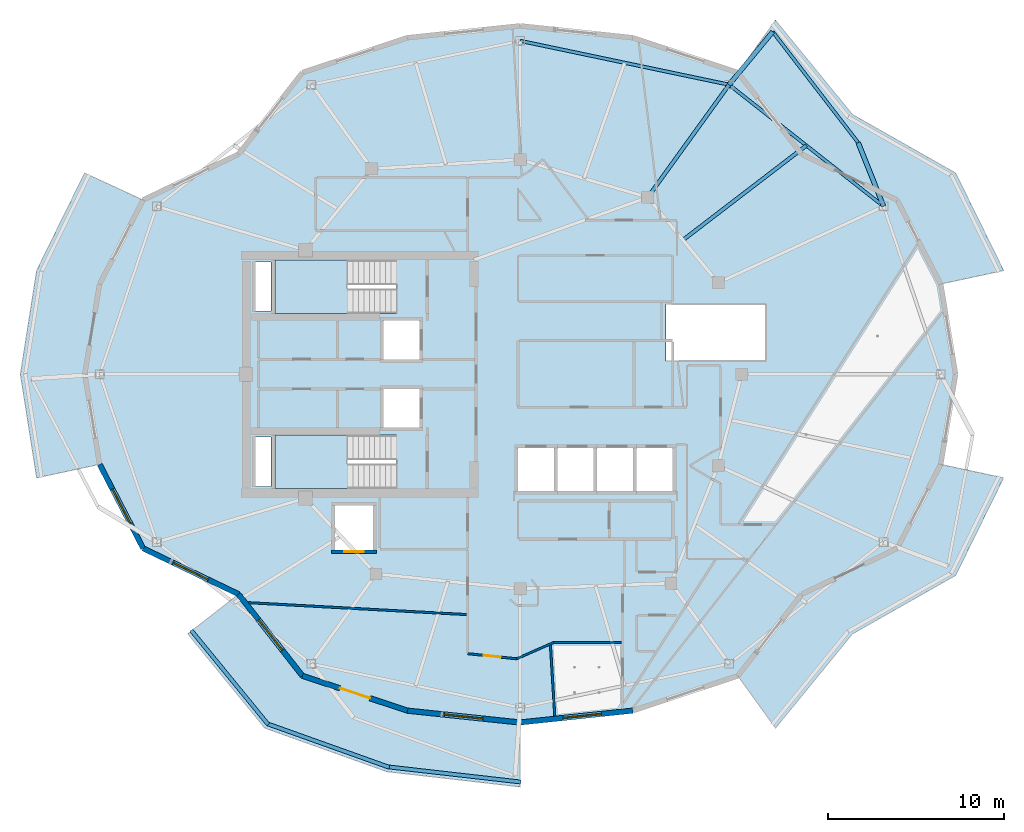
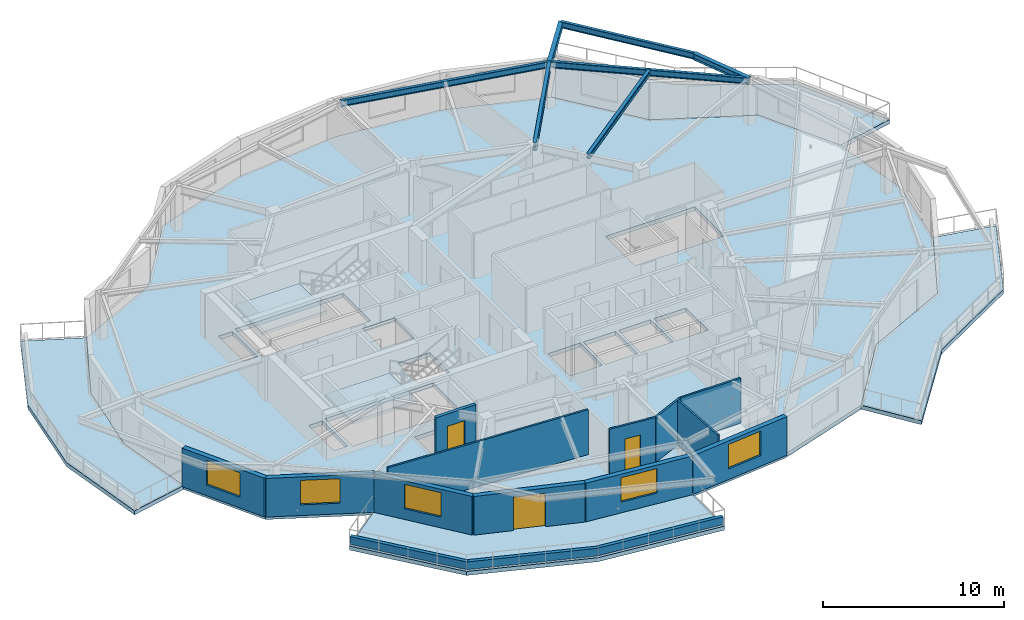
# One storey, part 2 of 14: 15 walls, 7 beams, 7 slabs, 5 windows, 3 doors, 8 openings, 2 elements without a shape of their own.
"""IFC4 building model written with IfcOpenShell, lengths in metres."""

from ifc_helpers import new_model, si_unit, direction, frame, frame_2d, origin, origin_2d, place, context, subcontext, project, spatial, polyline, rectangle, i_section, outline, extrude, material, layer, layer_set, material_profile, profile_set, type_object, element, fill, aggregate, save


model = new_model("IFC4")

# Units and contexts
model_context = context("Model", 3, precision=1e-05, world=origin(), true_north=direction((0.0, 1.0)))
body_context = subcontext(model_context, "Body", "Model", "MODEL_VIEW")
ifc_project = project(units=[si_unit("LENGTHUNIT", "METRE"), si_unit("AREAUNIT", "SQUARE_METRE"), si_unit("VOLUMEUNIT", "CUBIC_METRE"), si_unit("PLANEANGLEUNIT", "RADIAN"), si_unit("MASSUNIT", "GRAM", prefix="KILO")], contexts=[model_context])

# Site, building, storey
site_placement = place(None, origin())
site = spatial("IfcSite", under=ifc_project, at=site_placement, CompositionType="ELEMENT")
building_placement = place(site_placement, origin())
building = spatial("IfcBuilding", under=site, at=building_placement, Name="Kolvaren Gate Tower and Convention Centre", CompositionType="ELEMENT")
storey_placement = place(building_placement, frame((0.0, 0.0, 209.60009765625)))
storey = spatial("IfcBuildingStorey", under=building, at=storey_placement, Name="L55", CompositionType="ELEMENT", Elevation=209.60009765625)

# Beams
ifc_material_1 = material(Name="Structural steel ASTM A992 Grade 345 MPa", Category="steel")
ifc_material_profile_1 = material_profile(ifc_material_1, i_section(OverallWidth=0.260009765625, OverallDepth=0.419921875, WebThickness=0.013427734375, FlangeThickness=0.0224609375, at=origin_2d()), Name="W410X132")
ifc_profile_set_1 = profile_set([ifc_material_profile_1], Name="Structural steel ASTM A992 Grade 345 MPa")
beam_type_1 = type_object("IfcBeamType", Name="STR-BM-W410X132", PredefinedType="BEAM", material=ifc_profile_set_1)
for number, where, z_axis, x_axis, name in (
    (1, (50.787353515625, 36.543701171875, 2.8203125), (-0.370926499602, 0.92866222702, 0.0), (-0.92866222702, -0.370926499602, 0.0), "Tower L56 Planted Balcony Outrigger Cantilever BC-1A"),
    (2, (42.002685546875, 43.4580078125, 2.8203125), (0.636086782115, 0.771617525474, 0.0), (-0.771617525474, 0.636086782115, 0.0), "Tower L56 Planted Balcony Outrigger Cantilever BC-1B"),
):
    element("IfcBeam", number, at=place(storey_placement, frame(where, z_axis=z_axis, x_axis=x_axis)), inside=storey, type_object=beam_type_1, Name=name, PredefinedType="BEAM", context=body_context, shape_type="SweptSolid", body=[
        extrude(i_section(OverallWidth=0.260009765625, OverallDepth=0.419921875, WebThickness=0.013427734375, FlangeThickness=0.0224609375, at=origin_2d()), origin(), (0.0, 0.0, 1.0), 3.89990234375),
    ])
ifc_material_profile_2 = material_profile(ifc_material_1, i_section(OverallWidth=0.2119140625, OverallDepth=0.5439453125, WebThickness=0.01318359375, FlangeThickness=0.021240234375, at=origin_2d()), Name="W530X123")
ifc_profile_set_2 = profile_set([ifc_material_profile_2], Name="Structural steel ASTM A992 Grade 345 MPa")
beam_type_2 = type_object("IfcBeamType", Name="STR-BM-W530X123", PredefinedType="BEAM", material=ifc_profile_set_2)
beam_1_placement = place(storey_placement, frame((37.381591796875, 37.054931640625, 2.7578125), z_axis=(0.585211694794, 0.810880553643, 0.0), x_axis=(-0.810880553643, 0.585211694794, 0.0)))
element("IfcBeam", 3, at=beam_1_placement, inside=storey, type_object=beam_type_2, Name="Tower L55 Radial Floor Girder RB-03", PredefinedType="BEAM", context=body_context, shape_type="SweptSolid", body=[
    extrude(i_section(OverallWidth=0.2119140625, OverallDepth=0.5439453125, WebThickness=0.01318359375, FlangeThickness=0.021240234375, at=origin_2d()), origin(), (0.0, 0.0, 1.0), 7.896484375),
])
ifc_material_profile_3 = material_profile(ifc_material_1, i_section(OverallWidth=0.205078125, OverallDepth=0.31005859375, WebThickness=0.009521484375, FlangeThickness=0.016357421875, at=origin_2d()), Name="W310X74")
ifc_profile_set_3 = profile_set([ifc_material_profile_3], Name="Structural steel ASTM A992 Grade 345 MPa")
beam_type_3 = type_object("IfcBeamType", Name="STR-JS-W310X74", PredefinedType="JOIST", material=ifc_profile_set_3)
beam_2_placement = place(storey_placement, frame((39.3818359375, 34.627197265625, 2.875), z_axis=(0.793783340844, 0.608200631205, 0.0), x_axis=(-0.608200631205, 0.793783340844, 0.0)))
element("IfcBeam", 4, at=beam_2_placement, inside=storey, type_object=beam_type_3, Name="Tower L55 Secondary Composite Floor Joist J-02.1", PredefinedType="JOIST", context=body_context, shape_type="SweptSolid", body=[
    extrude(i_section(OverallWidth=0.205078125, OverallDepth=0.31005859375, WebThickness=0.009521484375, FlangeThickness=0.016357421875, at=origin_2d()), origin(), (0.0, 0.0, 1.0), 8.835205078125),
])
ifc_material_profile_4 = material_profile(ifc_material_1, i_section(OverallWidth=0.180908203125, OverallDepth=0.4169921875, WebThickness=0.010986328125, FlangeThickness=0.018310546875, at=origin_2d()), Name="W410X85")
ifc_profile_set_4 = profile_set([ifc_material_profile_4], Name="Structural steel ASTM A992 Grade 345 MPa")
beam_type_4 = type_object("IfcBeamType", Name="STR-SP-W410X85", PredefinedType="SPANDREL", material=ifc_profile_set_4)
beam_3_placement = place(storey_placement, frame((50.787353515625, 36.543701171875, 2.8212890625), z_axis=(-0.78579365551, 0.618488747643, 0.0), x_axis=(-0.618488747643, -0.78579365551, 0.0)))
element("IfcBeam", 5, at=beam_3_placement, inside=storey, type_object=beam_type_4, Name="Tower L55 Perimeter Spandrel Beam SP-02", PredefinedType="SPANDREL", context=body_context, shape_type="SweptSolid", body=[
    extrude(i_section(OverallWidth=0.180908203125, OverallDepth=0.4169921875, WebThickness=0.010986328125, FlangeThickness=0.018310546875, at=origin_2d()), origin(), (0.0, 0.0, 1.0), 11.179443359375),
])
beam_4_placement = place(storey_placement, frame((42.002685546875, 43.4580078125, 2.8212890625), z_axis=(-0.978692765917, 0.205330148645, 0.0), x_axis=(-0.205330148645, -0.978692765917, 0.0)))
element("IfcBeam", 6, at=beam_4_placement, inside=storey, type_object=beam_type_4, Name="Tower L55 Perimeter Spandrel Beam SP-03", PredefinedType="SPANDREL", context=body_context, shape_type="SweptSolid", body=[
    extrude(i_section(OverallWidth=0.180908203125, OverallDepth=0.4169921875, WebThickness=0.010986328125, FlangeThickness=0.018310546875, at=origin_2d()), origin(), (0.0, 0.0, 1.0), 12.13623046875),
])
beam_5_placement = place(storey_placement, frame((49.3408203125, 40.165283203125, 2.822021484375), z_axis=(-0.61047858823, 0.792032760252, 0.0), x_axis=(-0.792032760252, -0.61047858823, 0.0)))
element("IfcBeam", 7, at=beam_5_placement, inside=storey, type_object=beam_type_4, Name="Tower L56 Planted Balcony Header Tie Beam BT-1", PredefinedType="SPANDREL", context=body_context, shape_type="SweptSolid", body=[
    extrude(i_section(OverallWidth=0.180908203125, OverallDepth=0.4169921875, WebThickness=0.010986328125, FlangeThickness=0.018310546875, at=origin_2d()), origin(), (0.0, 0.0, 1.0), 7.956787109375),
])

# Slabs
ifc_material_2 = material(Name="Concrete C50/60", Category="concrete")
ifc_layer_1 = layer(ifc_material_2, 0.27001953125)
ifc_layer_set_1 = layer_set([ifc_layer_1], Name="Concrete C50/60")
slab_type_1 = type_object("IfcSlabType", Name="STR-SL-BALC-270", PredefinedType="FLOOR", material=ifc_layer_set_1)
slab_1_placement = place(storey_placement, frame((0.0, 0.0, -0.27001953125)))
element("IfcSlab", 8, at=slab_1_placement, inside=storey, type_object=slab_type_1, Name="Tower L55 Planted Balcony Terrace Slab 1 (East)", PredefinedType="FLOOR", context=body_context, shape_type="SweptSolid", body=[
    extrude(outline(polyline([(54.03173828125, 32.12451171875), (51.55908203125, 36.89990234375), (46.132568359375, 39.50732421875), (42.5, 44.147216796875), (44.641845703125, 47.114990234375), (49.0166015625, 41.7607421875), (54.8818359375, 38.434814453125), (57.6103515625, 32.8916015625), (54.03173828125, 32.12451171875)])), origin(), (0.0, 0.0, 1.0), 0.27001953125),
])
slab_2_placement = place(storey_placement, frame((0.0, 0.0, -0.27001953125)))
element("IfcSlab", 9, at=slab_2_placement, inside=storey, type_object=slab_type_1, Name="Tower L55 Planted Balcony Terrace Slab 2 (West)", PredefinedType="FLOOR", context=body_context, shape_type="SweptSolid", body=[
    extrude(outline(polyline([(8.69091796875, 36.89990234375), (6.21826171875, 32.12451171875), (5.375, 27.0), (6.21826171875, 21.87548828125), (2.6396484375, 21.1083984375), (1.715087890625, 27.0), (2.6396484375, 32.8916015625), (5.3681640625, 38.434814453125), (8.69091796875, 36.89990234375)])), origin(), (0.0, 0.0, 1.0), 0.27001953125),
])
slab_3_placement = place(storey_placement, frame((0.0, 0.0, -0.27001953125)))
element("IfcSlab", 10, at=slab_3_placement, inside=storey, type_object=slab_type_1, Name="Tower L55 Planted Balcony Terrace Slab 3 (South)", PredefinedType="FLOOR", context=body_context, shape_type="SweptSolid", body=[
    extrude(outline(polyline([(14.117431640625, 14.49267578125), (17.75, 9.852783203125), (23.71923828125, 7.874755859375), (30.125, 7.199951171875), (30.125, 3.5400390625), (22.556884765625, 4.404296875), (15.608154296875, 6.885009765625), (11.2333984375, 12.2392578125), (14.117431640625, 14.49267578125)])), origin(), (0.0, 0.0, 1.0), 0.27001953125),
])
slab_4_placement = place(storey_placement, frame((0.0, 0.0, -0.27001953125)))
element("IfcSlab", 11, at=slab_4_placement, inside=storey, type_object=slab_type_1, Name="Tower L55 Planted Balcony Terrace Slab 4 (East)", PredefinedType="FLOOR", context=body_context, shape_type="SweptSolid", body=[
    extrude(outline(polyline([(42.5, 9.852783203125), (46.132568359375, 14.49267578125), (51.55908203125, 17.10009765625), (54.03173828125, 21.87548828125), (57.6103515625, 21.1083984375), (54.8818359375, 15.565185546875), (49.0166015625, 12.2392578125), (44.641845703125, 6.885009765625), (42.5, 9.852783203125)])), origin(), (0.0, 0.0, 1.0), 0.27001953125),
])
ifc_material_3 = material(Name="Concrete C40/50", Category="concrete")
ifc_layer_2 = layer(ifc_material_3, 0.27001953125)
ifc_layer_set_2 = layer_set([ifc_layer_2], Name="Concrete C40/50")
slab_type_2 = type_object("IfcSlabType", Name="STR-SL-FLR-270", PredefinedType="FLOOR", material=ifc_layer_set_2)
slab_5_placement = place(storey_placement, frame((0.0, 0.0, -0.27001953125)))
element("IfcSlab", 12, at=slab_5_placement, inside=storey, type_object=slab_type_2, Name="Tower L55 Structural Floor Slab", PredefinedType="FLOOR", context=body_context, shape_type="SweptSolid", body=[
    extrude(outline(polyline([(54.875, 27.0), (54.03173828125, 32.12451171875), (51.55908203125, 36.89990234375), (46.132568359375, 39.50732421875), (42.5, 44.147216796875), (36.53076171875, 46.125244140625), (30.125, 46.800048828125), (23.71923828125, 46.125244140625), (17.75, 44.147216796875), (14.117431640625, 39.50732421875), (8.69091796875, 36.89990234375), (6.21826171875, 32.12451171875), (5.375, 27.0), (6.21826171875, 21.87548828125), (8.69091796875, 17.10009765625), (14.117431640625, 14.49267578125), (17.75, 9.852783203125), (23.71923828125, 7.874755859375), (30.125, 7.199951171875), (36.53076171875, 7.874755859375), (42.5, 9.852783203125), (46.132568359375, 14.49267578125), (51.55908203125, 17.10009765625), (54.03173828125, 21.87548828125), (54.875, 27.0)]), holes=[polyline([(38.39990234375, 27.75), (38.39990234375, 31.0), (44.10009765625, 31.0), (44.10009765625, 27.75), (38.39990234375, 27.75)]), polyline([(38.800048828125, 20.35009765625), (36.75, 20.35009765625), (36.75, 22.800048828125), (38.800048828125, 22.800048828125), (38.800048828125, 20.35009765625)]), polyline([(34.5, 20.35009765625), (34.5, 22.800048828125), (36.550048828125, 22.800048828125), (36.550048828125, 20.35009765625), (34.5, 20.35009765625)]), polyline([(32.25, 20.35009765625), (32.25, 22.800048828125), (34.300048828125, 22.800048828125), (34.300048828125, 20.35009765625), (32.25, 20.35009765625)]), polyline([(32.050048828125, 20.35009765625), (30.0, 20.35009765625), (30.0, 22.800048828125), (32.050048828125, 22.800048828125), (32.050048828125, 20.35009765625)]), polyline([(22.35009765625, 23.9599609375), (22.35009765625, 26.159912109375), (24.39990234375, 26.159912109375), (24.39990234375, 23.9599609375), (22.35009765625, 23.9599609375)]), polyline([(24.39990234375, 27.840087890625), (22.35009765625, 27.840087890625), (22.35009765625, 30.0400390625), (24.39990234375, 30.0400390625), (24.39990234375, 27.840087890625)]), polyline([(23.10009765625, 23.5400390625), (23.10009765625, 20.5), (16.199951171875, 20.5), (16.199951171875, 23.5400390625), (23.10009765625, 23.5400390625)]), polyline([(23.10009765625, 33.5), (23.10009765625, 30.4599609375), (16.199951171875, 30.4599609375), (16.199951171875, 33.5), (23.10009765625, 33.5)]), polyline([(21.75, 17.0), (19.60009765625, 17.0), (19.60009765625, 19.550048828125), (21.75, 19.550048828125), (21.75, 17.0)]), polyline([(15.080078125, 20.6298828125), (15.080078125, 23.419921875), (15.969970703125, 23.419921875), (15.969970703125, 20.6298828125), (15.080078125, 20.6298828125)]), polyline([(15.080078125, 30.580078125), (15.080078125, 33.3701171875), (15.969970703125, 33.3701171875), (15.969970703125, 30.580078125), (15.080078125, 30.580078125)])]), origin(), (0.0, 0.0, 1.0), 0.27001953125),
])

# Stair, slab
stair_type = type_object("IfcStairType", Name="STR-STAIR-CORE", PredefinedType="HALF_TURN_STAIR", material=ifc_material_2)
stair_1_placement = place(storey_placement, origin())
stair_1 = element("IfcStair", 13, at=stair_1_placement, inside=storey, type_object=stair_type, Name="L55 Tower North Exit Stair ST-T1", PredefinedType="HALF_TURN_STAIR")
ifc_layer_3 = layer(ifc_material_2, 0.199951171875)
ifc_layer_set_3 = layer_set([ifc_layer_3], Name="Concrete C50/60")
slab_type_3 = type_object("IfcSlabType", Name="STR-SL-LAND-200", PredefinedType="LANDING", material=ifc_layer_set_3)
slab_6_placement = place(storey_placement, frame((0.0, 0.0, 1.449951171875)))
slab_6 = element("IfcSlab", 14, at=slab_6_placement, type_object=slab_type_3, Name="ST-T1 landing 1", PredefinedType="LANDING", context=body_context, shape_type="SweptSolid", body=[
    extrude(outline(polyline([(20.31005859375, 33.5), (16.199951171875, 33.5), (16.199951171875, 30.4599609375), (20.31005859375, 30.4599609375), (20.31005859375, 33.5)])), origin(), (0.0, 0.0, 1.0), 0.199951171875),
])
aggregate(stair_1, [slab_6])

stair_2_placement = place(storey_placement, origin())
stair_2 = element("IfcStair", 15, at=stair_2_placement, inside=storey, type_object=stair_type, Name="L55 Tower South Exit Stair ST-T2", PredefinedType="HALF_TURN_STAIR")
slab_7_placement = place(storey_placement, frame((0.0, 0.0, 1.449951171875)))
slab_7 = element("IfcSlab", 16, at=slab_7_placement, type_object=slab_type_3, Name="ST-T2 landing 1", PredefinedType="LANDING", context=body_context, shape_type="SweptSolid", body=[
    extrude(outline(polyline([(20.31005859375, 23.5400390625), (16.199951171875, 23.5400390625), (16.199951171875, 20.5), (20.31005859375, 20.5), (20.31005859375, 23.5400390625)])), origin(), (0.0, 0.0, 1.0), 0.199951171875),
])
aggregate(stair_2, [slab_7])

# Walls
ifc_material_4 = material(Name="Fire-Rated Acoustic Gypsum Stud Partition", Category="gypsum")
ifc_layer_4 = layer(ifc_material_4, 0.1201171875)
ifc_layer_set_4 = layer_set([ifc_layer_4], Name="Fire-Rated Acoustic Gypsum Stud Partition")
wall_type_1 = type_object("IfcWallType", Name="ARCH-WL-PART-120", PredefinedType="PARTITIONING", material=ifc_layer_set_4)
wall_1_placement = place(storey_placement, frame((32.033935546875, 11.75, 0.0), z_axis=(0.0, 0.0, 1.0), x_axis=(1.0, 0.0, 0.0)))
element("IfcWall", 17, at=wall_1_placement, inside=storey, type_object=wall_type_1, Name="Interior Partition WL-L55-INT-055", PredefinedType="PARTITIONING", context=body_context, shape_type="SweptSolid", body=[
    extrude(rectangle(XDim=3.85400390625, YDim=0.1201171875, at=frame_2d((1.927001953125, 0.0))), origin(), (0.0, 0.0, 1.0), 3.02978515625),
])
wall_2_placement = place(storey_placement, frame((29.925048828125, 10.821044921875, 0.0), z_axis=(0.0, 0.0, 1.0), x_axis=(0.915147800009, 0.403118474072, 0.0)))
element("IfcWall", 18, at=wall_2_placement, inside=storey, type_object=wall_type_1, Name="Interior Partition WL-L55-INT-056", PredefinedType="PARTITIONING", context=body_context, shape_type="SweptSolid", body=[
    extrude(rectangle(XDim=2.304443359375, YDim=0.1201171875, at=frame_2d((1.15234375, 0.0))), origin(), (0.0, 0.0, 1.0), 3.02978515625),
])

# Wall, opening, door
wall_3_placement = place(storey_placement, frame((27.14990234375, 11.113037109375, 0.0), z_axis=(0.0, 0.0, 1.0), x_axis=(0.994510245906, -0.104639241146, 0.0)))
wall_3 = element("IfcWall", 19, at=wall_3_placement, inside=storey, type_object=wall_type_1, Name="Interior Partition WL-L55-INT-057", PredefinedType="PARTITIONING", context=body_context, shape_type="SweptSolid", body=[
    extrude(rectangle(XDim=2.79052734375, YDim=0.1201171875, at=frame_2d((1.395263671875, 0.0))), origin(), (0.0, 0.0, 1.0), 3.02978515625),
])
opening_1_placement = place(wall_3_placement, frame((0.920166015625, 0.0, 0.0)))
opening_1 = element("IfcOpeningElement", 20, at=opening_1_placement, cuts=wall_3, Name="Opening DR-01", PredefinedType="OPENING", context=body_context, shape_type="SweptSolid", body=[
    extrude(rectangle(XDim=0.949951171875, YDim=2.10009765625, at=frame_2d((0.47509765625, 1.050048828125))), frame((0.0, 0.070068359375, 0.0), z_axis=(0.0, -1.0, 0.0), x_axis=(1.0, 0.0, 0.0)), (0.0, 0.0, 1.0), 0.14013671875),
])
ifc_material_5 = material(Name="Painted Architectural Steelwork ASTM A500 Grade C 345 MPa", Category="steel")
door_type_1 = type_object("IfcDoorType", Name="ARCH-DR-RISER-950", OperationType="SINGLE_SWING_RIGHT", PredefinedType="DOOR", material=ifc_material_5)
door_1_placement = place(opening_1_placement, origin())
door_1 = element("IfcDoor", 21, at=door_1_placement, inside=storey, type_object=door_type_1, Name="Resident Private Study Door", OperationType="SINGLE_SWING_LEFT", OverallHeight=2.10009765625, OverallWidth=0.949951171875, PredefinedType="DOOR", context=body_context, shape_type="SweptSolid", body=[
    extrude(rectangle(XDim=0.949951171875, YDim=2.10009765625, at=frame_2d((0.47509765625, 1.050048828125))), frame((0.0, 0.02490234375, 0.0), z_axis=(0.0, -1.0, 0.0), x_axis=(1.0, 0.0, 0.0)), (0.0, 0.0, 1.0), 0.050048828125),
])
fill(opening_1, door_1)

# Walls
wall_4_placement = place(storey_placement, frame((14.686279296875, 14.0126953125, 0.0), z_axis=(0.0, 0.0, 1.0), x_axis=(0.998511871839, -0.054534776034, 0.0)))
element("IfcWall", 22, at=wall_4_placement, inside=storey, type_object=wall_type_1, Name="Interior Partition WL-L55-INT-063", PredefinedType="PARTITIONING", context=body_context, shape_type="SweptSolid", body=[
    extrude(rectangle(XDim=12.4052734375, YDim=0.1201171875, at=frame_2d((6.20263671875, 0.0))), origin(), (0.0, 0.0, 1.0), 3.02978515625),
])
wall_5_placement = place(storey_placement, frame((31.84716796875, 11.599853515625, 0.0), z_axis=(0.0, 0.0, 1.0), x_axis=(0.061108836762, -0.998131108657, 0.0)))
element("IfcWall", 23, at=wall_5_placement, inside=storey, type_object=wall_type_1, Name="Interior Partition WL-L55-INT-065", PredefinedType="PARTITIONING", context=body_context, shape_type="SweptSolid", body=[
    extrude(rectangle(XDim=4.047119140625, YDim=0.1201171875, at=frame_2d((2.0234375, 0.0))), origin(), (0.0, 0.0, 1.0), 3.02978515625),
])
ifc_material_6 = material(Name="Piedmont Cream Honed Limestone Cladding", Category="masonry")
ifc_layer_5 = layer(ifc_material_6, 0.219970703125)
ifc_layer_set_5 = layer_set([ifc_layer_5], Name="Piedmont Cream Honed Limestone Cladding")
wall_type_2 = type_object("IfcWallType", Name="ARCH-WL-PLANTER-220", PredefinedType="PARAPET", material=ifc_layer_set_5)
wall_6_placement = place(storey_placement, frame((11.42724609375, 12.44140625, 0.0), z_axis=(0.0, 0.0, 1.0), x_axis=(0.632697312147, -0.774399193699, 0.0)))
element("IfcWall", 24, at=wall_6_placement, inside=storey, type_object=wall_type_2, Name="Vertical-Forest Balcony Stone Planter Kerb PK-L55-3.1", PredefinedType="PARAPET", context=body_context, shape_type="SweptSolid", body=[
    extrude(rectangle(XDim=6.9140625, YDim=0.219970703125, at=frame_2d((3.45703125, 0.0))), origin(), (0.0, 0.0, 1.0), 0.52001953125),
])
wall_7_placement = place(storey_placement, frame((15.73681640625, 7.133544921875, 0.0), z_axis=(0.0, 0.0, 1.0), x_axis=(0.941780086523, -0.336229488042, 0.0)))
element("IfcWall", 25, at=wall_7_placement, inside=storey, type_object=wall_type_2, Name="Vertical-Forest Balcony Stone Planter Kerb PK-L55-3.2", PredefinedType="PARAPET", context=body_context, shape_type="SweptSolid", body=[
    extrude(rectangle(XDim=7.3779296875, YDim=0.219970703125, at=frame_2d((3.68896484375, 0.0))), origin(), (0.0, 0.0, 1.0), 0.52001953125),
])
wall_8_placement = place(storey_placement, frame((22.602294921875, 4.680419921875, 0.0), z_axis=(0.0, 0.0, 1.0), x_axis=(0.993546198781, -0.113428175021, 0.0)))
element("IfcWall", 26, at=wall_8_placement, inside=storey, type_object=wall_type_2, Name="Vertical-Forest Balcony Stone Planter Kerb PK-L55-3.3", PredefinedType="PARAPET", context=body_context, shape_type="SweptSolid", body=[
    extrude(rectangle(XDim=7.6171875, YDim=0.219970703125, at=frame_2d((3.80859375, 0.0))), origin(), (0.0, 0.0, 1.0), 0.52001953125),
])

# Wall, opening, door
ifc_material_7 = material(Name="Autoclaved Aerated Masonry Blockwork Class 4 (4.0 MPa)", Category="masonry")
ifc_layer_6 = layer(ifc_material_7, 0.199951171875)
ifc_layer_set_6 = layer_set([ifc_layer_6], Name="Autoclaved Aerated Masonry Blockwork Class 4 (4.0 MPa)")
wall_type_3 = type_object("IfcWallType", Name="ARCH-WL-SHAFT-200", PredefinedType="SOLIDWALL", material=ifc_layer_set_6)
wall_9_placement = place(storey_placement, frame((19.39990234375, 16.89990234375, 0.0), z_axis=(0.0, 0.0, 1.0), x_axis=(1.0, 0.0, 0.0)))
wall_9 = element("IfcWall", 27, at=wall_9_placement, inside=storey, type_object=wall_type_3, Name="Elevator SV-01 L55 Fire Shaft Wall S", PredefinedType="SOLIDWALL", context=body_context, shape_type="SweptSolid", body=[
    extrude(rectangle(XDim=2.550048828125, YDim=0.199951171875, at=frame_2d((1.27490234375, 0.0))), origin(), (0.0, 0.0, 1.0), 3.02978515625),
])
opening_2_placement = place(wall_9_placement, frame((0.72509765625, 0.0, 0.0)))
opening_2 = element("IfcOpeningElement", 28, at=opening_2_placement, cuts=wall_9, Name="Opening LD", PredefinedType="OPENING", context=body_context, shape_type="SweptSolid", body=[
    extrude(rectangle(XDim=1.10009765625, YDim=2.199951171875, at=frame_2d((0.550048828125, 1.10009765625))), frame((0.0, 0.10986328125, 0.0), z_axis=(0.0, -1.0, 0.0), x_axis=(1.0, 0.0, 0.0)), (0.0, 0.0, 1.0), 0.219970703125),
])
ifc_material_8 = material(Name="Brushed Stainless Steel Grade 316L", Category="steel")
door_type_2 = type_object("IfcDoorType", Name="ARCH-DR-LIFT-1100", OperationType="SLIDING_TO_LEFT", PredefinedType="DOOR", material=ifc_material_8)
door_2_placement = place(opening_2_placement, origin())
door_2 = element("IfcDoor", 29, at=door_2_placement, inside=storey, type_object=door_type_2, Name="Elevator SV-01 L55 Sliding Landing Door", OperationType="SLIDING_TO_LEFT", OverallHeight=2.199951171875, OverallWidth=1.10009765625, PredefinedType="DOOR", context=body_context, shape_type="SweptSolid", body=[
    extrude(rectangle(XDim=1.10009765625, YDim=2.199951171875, at=frame_2d((0.550048828125, 1.10009765625))), frame((0.0, 0.02490234375, 0.0), z_axis=(0.0, -1.0, 0.0), x_axis=(1.0, 0.0, 0.0)), (0.0, 0.0, 1.0), 0.050048828125),
])
fill(opening_2, door_2)

# Wall, opening, window
ifc_layer_7 = layer(ifc_material_6, 0.300048828125)
ifc_layer_set_7 = layer_set([ifc_layer_7], Name="Piedmont Cream Honed Limestone Cladding")
wall_type_4 = type_object("IfcWallType", Name="ARCH-WL-STONE-300", PredefinedType="SOLIDWALL", material=ifc_layer_set_7)
wall_10_placement = place(storey_placement, frame((6.21826171875, 21.87548828125, 0.0), z_axis=(0.0, 0.0, 1.0), x_axis=(0.459808219482, -0.888018243786, 0.0)))
wall_10 = element("IfcWall", 30, at=wall_10_placement, inside=storey, type_object=wall_type_4, Name="Tower L55 Honed Stone Spandrel Wall EW-13", PredefinedType="SOLIDWALL", context=body_context, shape_type="SweptSolid", body=[
    extrude(rectangle(XDim=5.377685546875, YDim=0.300048828125, at=frame_2d((2.68896484375, 0.0))), origin(), (0.0, 0.0, 1.0), 2.60498046875),
])
opening_3_placement = place(wall_10_placement, frame((1.589111328125, 0.0, 0.719970703125)))
opening_3 = element("IfcOpeningElement", 31, at=opening_3_placement, cuts=wall_10, Name="Opening W-03", PredefinedType="OPENING", context=body_context, shape_type="SweptSolid", body=[
    extrude(rectangle(XDim=2.199951171875, YDim=1.64990234375, at=frame_2d((1.10009765625, 0.824951171875))), frame((0.0, 0.159912109375, 0.0), z_axis=(0.0, -1.0, 0.0), x_axis=(1.0, 0.0, 0.0)), (0.0, 0.0, 1.0), 0.320068359375),
])
ifc_material_9 = material(Name="Low-E Triple Insulated Glazing Unit 44 mm", Category="glass")
window_type = type_object("IfcWindowType", Name="ARCH-WN-RES-2200", PartitioningType="SINGLE_PANEL", PredefinedType="WINDOW", material=ifc_material_9)
window_1_placement = place(opening_3_placement, origin())
window_1 = element("IfcWindow", 32, at=window_1_placement, inside=storey, type_object=window_type, Name="Tower L55 Punched Stone Facade Window W-13", OverallHeight=1.64990234375, OverallWidth=2.199951171875, PartitioningType="SINGLE_PANEL", PredefinedType="WINDOW", context=body_context, shape_type="SweptSolid", body=[
    extrude(rectangle(XDim=2.199951171875, YDim=1.64990234375, at=frame_2d((1.10009765625, 0.824951171875))), frame((0.0, 0.030029296875, 0.0), z_axis=(0.0, -1.0, 0.0), x_axis=(1.0, 0.0, 0.0)), (0.0, 0.0, 1.0), 0.06005859375),
])
fill(opening_3, window_1)

wall_11_placement = place(storey_placement, frame((8.69091796875, 17.10009765625, 0.0), z_axis=(0.0, 0.0, 1.0), x_axis=(0.901348331142, -0.433094892545, 0.0)))
wall_11 = element("IfcWall", 33, at=wall_11_placement, inside=storey, type_object=wall_type_4, Name="Tower L55 Honed Stone Spandrel Wall EW-14", PredefinedType="SOLIDWALL", context=body_context, shape_type="SweptSolid", body=[
    extrude(rectangle(XDim=6.0205078125, YDim=0.300048828125, at=frame_2d((3.01025390625, 0.0))), origin(), (0.0, 0.0, 1.0), 2.60498046875),
])
opening_4_placement = place(wall_11_placement, frame((1.909912109375, 0.0, 0.719970703125)))
opening_4 = element("IfcOpeningElement", 34, at=opening_4_placement, cuts=wall_11, Name="Opening W-03", PredefinedType="OPENING", context=body_context, shape_type="SweptSolid", body=[
    extrude(rectangle(XDim=2.199951171875, YDim=1.64990234375, at=frame_2d((1.10009765625, 0.824951171875))), frame((0.0, 0.159912109375, 0.0), z_axis=(0.0, -1.0, 0.0), x_axis=(1.0, 0.0, 0.0)), (0.0, 0.0, 1.0), 0.320068359375),
])
window_2_placement = place(opening_4_placement, origin())
window_2 = element("IfcWindow", 35, at=window_2_placement, inside=storey, type_object=window_type, Name="Tower L55 Punched Stone Facade Window W-14", OverallHeight=1.64990234375, OverallWidth=2.199951171875, PartitioningType="SINGLE_PANEL", PredefinedType="WINDOW", context=body_context, shape_type="SweptSolid", body=[
    extrude(rectangle(XDim=2.199951171875, YDim=1.64990234375, at=frame_2d((1.10009765625, 0.824951171875))), frame((0.0, 0.030029296875, 0.0), z_axis=(0.0, -1.0, 0.0), x_axis=(1.0, 0.0, 0.0)), (0.0, 0.0, 1.0), 0.06005859375),
])
fill(opening_4, window_2)

wall_12_placement = place(storey_placement, frame((14.117431640625, 14.49267578125, 0.0), z_axis=(0.0, 0.0, 1.0), x_axis=(0.616450126935, -0.787393955401, 0.0)))
wall_12 = element("IfcWall", 36, at=wall_12_placement, inside=storey, type_object=wall_type_4, Name="Tower L55 Honed Stone Spandrel Wall EW-15", PredefinedType="SOLIDWALL", context=body_context, shape_type="SweptSolid", body=[
    extrude(rectangle(XDim=5.892822265625, YDim=0.300048828125, at=frame_2d((2.9462890625, 0.0))), origin(), (0.0, 0.0, 1.0), 2.60498046875),
])
opening_5_placement = place(wall_12_placement, frame((1.845947265625, 0.0, 0.719970703125)))
opening_5 = element("IfcOpeningElement", 37, at=opening_5_placement, cuts=wall_12, Name="Opening W-03", PredefinedType="OPENING", context=body_context, shape_type="SweptSolid", body=[
    extrude(rectangle(XDim=2.199951171875, YDim=1.64990234375, at=frame_2d((1.10009765625, 0.824951171875))), frame((0.0, 0.159912109375, 0.0), z_axis=(0.0, -1.0, 0.0), x_axis=(1.0, 0.0, 0.0)), (0.0, 0.0, 1.0), 0.320068359375),
])
window_3_placement = place(opening_5_placement, origin())
window_3 = element("IfcWindow", 38, at=window_3_placement, inside=storey, type_object=window_type, Name="Tower L55 Punched Stone Facade Window W-15", OverallHeight=1.64990234375, OverallWidth=2.199951171875, PartitioningType="SINGLE_PANEL", PredefinedType="WINDOW", context=body_context, shape_type="SweptSolid", body=[
    extrude(rectangle(XDim=2.199951171875, YDim=1.64990234375, at=frame_2d((1.10009765625, 0.824951171875))), frame((0.0, 0.030029296875, 0.0), z_axis=(0.0, -1.0, 0.0), x_axis=(1.0, 0.0, 0.0)), (0.0, 0.0, 1.0), 0.06005859375),
])
fill(opening_5, window_3)

# Wall, opening, door
wall_13_placement = place(storey_placement, frame((17.75, 9.852783203125, 0.0), z_axis=(0.0, 0.0, 1.0), x_axis=(0.949240877604, -0.314550085495, 0.0)))
wall_13 = element("IfcWall", 39, at=wall_13_placement, inside=storey, type_object=wall_type_4, Name="Tower L55 Honed Stone Spandrel Wall EW-16", PredefinedType="SOLIDWALL", context=body_context, shape_type="SweptSolid", body=[
    extrude(rectangle(XDim=6.288330078125, YDim=0.300048828125, at=frame_2d((3.14404296875, 0.0))), origin(), (0.0, 0.0, 1.0), 2.60498046875),
])
opening_6_placement = place(wall_13_placement, frame((2.243896484375, 0.0, 0.0)))
opening_6 = element("IfcOpeningElement", 40, at=opening_6_placement, cuts=wall_13, Name="Opening DB-01", PredefinedType="OPENING", context=body_context, shape_type="SweptSolid", body=[
    extrude(rectangle(XDim=1.800048828125, YDim=2.25, at=frame_2d((0.89990234375, 1.125))), frame((0.0, 0.159912109375, 0.0), z_axis=(0.0, -1.0, 0.0), x_axis=(1.0, 0.0, 0.0)), (0.0, 0.0, 1.0), 0.320068359375),
])
ifc_material_10 = material(Name="Anodized Architectural Aluminium Alloy 6063-T6", Category="aluminium")
door_type_3 = type_object("IfcDoorType", Name="ARCH-DR-BALC-1800", OperationType="SLIDING_TO_LEFT", PredefinedType="DOOR", material=ifc_material_10)
door_3_placement = place(opening_6_placement, frame((1.800048828125, 0.0, 0.0), z_axis=(0.0, 0.0, 1.0), x_axis=(-1.0, 0.0, 0.0)))
door_3 = element("IfcDoor", 41, at=door_3_placement, inside=storey, type_object=door_type_3, Name="Planted Sky Terrace Access Door DB-L55-16", OperationType="SLIDING_TO_LEFT", OverallHeight=2.25, OverallWidth=1.800048828125, PredefinedType="DOOR", context=body_context, shape_type="SweptSolid", body=[
    extrude(rectangle(XDim=1.800048828125, YDim=2.25, at=frame_2d((0.89990234375, 1.125))), frame((0.0, 0.02490234375, 0.0), z_axis=(0.0, -1.0, 0.0), x_axis=(1.0, 0.0, 0.0)), (0.0, 0.0, 1.0), 0.050048828125),
])
fill(opening_6, door_3)

# Wall, opening, window
wall_14_placement = place(storey_placement, frame((23.71923828125, 7.874755859375, 0.0), z_axis=(0.0, 0.0, 1.0), x_axis=(0.994497142298, -0.104763705363, 0.0)))
wall_14 = element("IfcWall", 42, at=wall_14_placement, inside=storey, type_object=wall_type_4, Name="Tower L55 Honed Stone Spandrel Wall EW-17", PredefinedType="SOLIDWALL", context=body_context, shape_type="SweptSolid", body=[
    extrude(rectangle(XDim=6.441162109375, YDim=0.300048828125, at=frame_2d((3.220703125, 0.0))), origin(), (0.0, 0.0, 1.0), 2.60498046875),
])
opening_7_placement = place(wall_14_placement, frame((2.12109375, 0.0, 0.719970703125)))
opening_7 = element("IfcOpeningElement", 43, at=opening_7_placement, cuts=wall_14, Name="Opening W-03", PredefinedType="OPENING", context=body_context, shape_type="SweptSolid", body=[
    extrude(rectangle(XDim=2.199951171875, YDim=1.64990234375, at=frame_2d((1.10009765625, 0.824951171875))), frame((0.0, 0.159912109375, 0.0), z_axis=(0.0, -1.0, 0.0), x_axis=(1.0, 0.0, 0.0)), (0.0, 0.0, 1.0), 0.320068359375),
])
window_4_placement = place(opening_7_placement, origin())
window_4 = element("IfcWindow", 44, at=window_4_placement, inside=storey, type_object=window_type, Name="Tower L55 Punched Stone Facade Window W-17", OverallHeight=1.64990234375, OverallWidth=2.199951171875, PartitioningType="SINGLE_PANEL", PredefinedType="WINDOW", context=body_context, shape_type="SweptSolid", body=[
    extrude(rectangle(XDim=2.199951171875, YDim=1.64990234375, at=frame_2d((1.10009765625, 0.824951171875))), frame((0.0, 0.030029296875, 0.0), z_axis=(0.0, -1.0, 0.0), x_axis=(1.0, 0.0, 0.0)), (0.0, 0.0, 1.0), 0.06005859375),
])
fill(opening_7, window_4)

wall_15_placement = place(storey_placement, frame((30.125, 7.199951171875, 0.0), z_axis=(0.0, 0.0, 1.0), x_axis=(0.994497142298, 0.104763705363, 0.0)))
wall_15 = element("IfcWall", 45, at=wall_15_placement, inside=storey, type_object=wall_type_4, Name="Tower L55 Honed Stone Spandrel Wall EW-18", PredefinedType="SOLIDWALL", context=body_context, shape_type="SweptSolid", body=[
    extrude(rectangle(XDim=6.441162109375, YDim=0.300048828125, at=frame_2d((3.220703125, 0.0))), origin(), (0.0, 0.0, 1.0), 2.60498046875),
])
opening_8_placement = place(wall_15_placement, frame((2.449951171875, 0.0, 0.719970703125)))
opening_8 = element("IfcOpeningElement", 46, at=opening_8_placement, cuts=wall_15, Name="Opening W-03", PredefinedType="OPENING", context=body_context, shape_type="SweptSolid", body=[
    extrude(rectangle(XDim=2.199951171875, YDim=1.64990234375, at=frame_2d((1.10009765625, 0.824951171875))), frame((0.0, 0.159912109375, 0.0), z_axis=(0.0, -1.0, 0.0), x_axis=(1.0, 0.0, 0.0)), (0.0, 0.0, 1.0), 0.320068359375),
])
window_5_placement = place(opening_8_placement, origin())
window_5 = element("IfcWindow", 47, at=window_5_placement, inside=storey, type_object=window_type, Name="Tower L55 Punched Stone Facade Window W-18", OverallHeight=1.64990234375, OverallWidth=2.199951171875, PartitioningType="SINGLE_PANEL", PredefinedType="WINDOW", context=body_context, shape_type="SweptSolid", body=[
    extrude(rectangle(XDim=2.199951171875, YDim=1.64990234375, at=frame_2d((1.10009765625, 0.824951171875))), frame((0.0, 0.030029296875, 0.0), z_axis=(0.0, -1.0, 0.0), x_axis=(1.0, 0.0, 0.0)), (0.0, 0.0, 1.0), 0.06005859375),
])
fill(opening_8, window_5)

save(model, "model.ifc")
